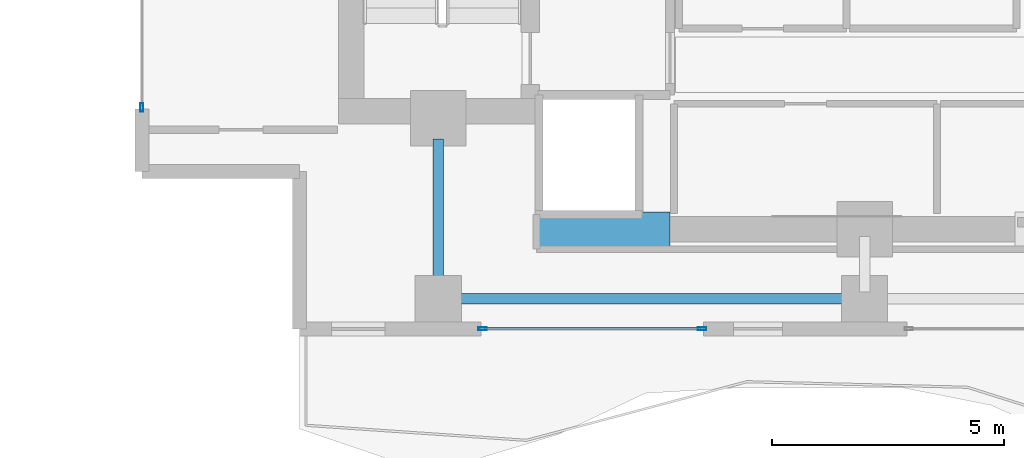
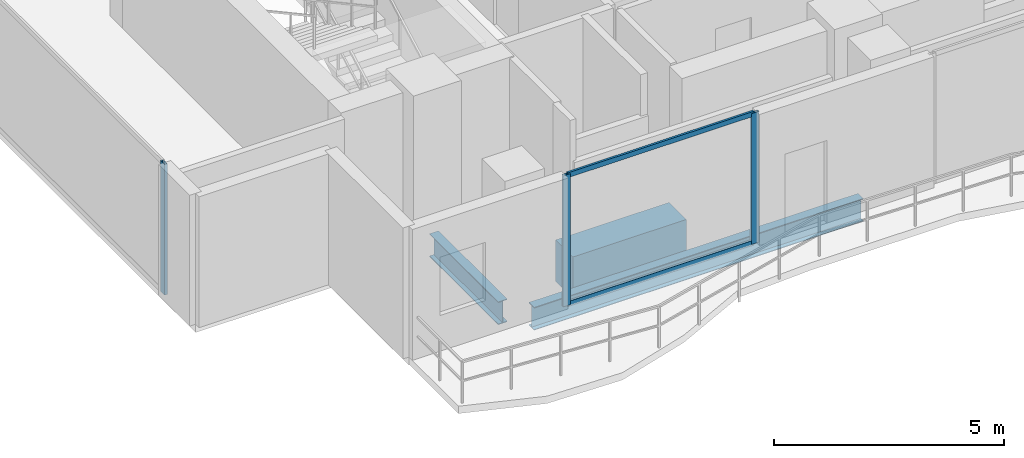
# One storey, part 2 of 23: 5 members, 3 beams, 2 elements without a shape of their own.
"""IFC4 building model written with IfcOpenShell, lengths in metres."""

import ifcopenshell
import ifcopenshell.guid

model = None  # the IFC model being written
_history = None  # IfcOwnerHistory: only IFC2X3 demands one
_inside = {}  # id of a spatial element -> (the spatial element, [elements in it])
_under = {}  # id of a project, library or spatial element -> (it, [spatial elements below it])
_declared = {}  # id of a project -> (the project, [libraries it declares])
_typed = {}  # id of a type object -> (the type object, [elements of that type])
_made_of = {}  # id of a material, layer set ... -> (it, [elements and type objects made of it])


def new_model(schema):
    """Start an empty IFC model of exactly this schema.

    Asked for "IFC4X3", IfcOpenShell would pick the latest addendum, in which some entities
    have other attributes; the version numbers below select the first issue.
    IFC2X3 requires an IfcOwnerHistory on every rooted entity: one is made here for all.
    """
    global model, _history
    if schema == "IFC4X3":
        model = ifcopenshell.file(schema_version=(4, 3, 0, 0))
    else:
        model = ifcopenshell.file(schema=schema)
    _inside.clear()
    _under.clear()
    _declared.clear()
    _typed.clear()
    _made_of.clear()
    _history = None
    if model.schema == "IFC2X3":
        org = make("IfcOrganization", Name="unknown")
        user = make(
            "IfcPersonAndOrganization",
            ThePerson=make("IfcPerson", FamilyName="unknown"),
            TheOrganization=org,
        )
        app = make(
            "IfcApplication",
            ApplicationDeveloper=org,
            Version="unknown",
            ApplicationFullName="unknown",
            ApplicationIdentifier="unknown",
        )
        _history = make(
            "IfcOwnerHistory",
            OwningUser=user,
            OwningApplication=app,
            ChangeAction="ADDED",
            CreationDate=0,
        )
    return model


def make(cls, **values):
    """One entity of the class cls with the attributes given. An attribute that is None is left unset."""
    return model.create_entity(
        cls, **{name: value for name, value in values.items() if value is not None}
    )


def rooted(cls, **values):
    """An entity with a GlobalId (a new one), such as an element, a storey or a relation."""
    return make(cls, GlobalId=ifcopenshell.guid.new(), OwnerHistory=_history, **values)


def si_unit(unit_type, name, prefix=None):
    """IfcSIUnit, for example si_unit("LENGTHUNIT", "METRE", prefix="MILLI")."""
    return make("IfcSIUnit", UnitType=unit_type, Prefix=prefix, Name=name)


def assignment(units):
    """IfcUnitAssignment: the units of a project."""
    return None if units is None else make("IfcUnitAssignment", Units=units)


def point(xyz):
    """IfcCartesianPoint."""
    return None if xyz is None else make("IfcCartesianPoint", Coordinates=xyz)


def direction(xyz):
    """IfcDirection."""
    return None if xyz is None else make("IfcDirection", DirectionRatios=xyz)


def frame(location, z_axis=None, x_axis=None):
    """IfcAxis2Placement3D, a coordinate frame: its origin and axes. An axis left out is left unset."""
    return make(
        "IfcAxis2Placement3D",
        Location=point(location),
        Axis=direction(z_axis),
        RefDirection=direction(x_axis),
    )


def frame_2d(location, x_axis=None):
    """IfcAxis2Placement2D, a coordinate frame in the plane: its origin and x axis."""
    return make(
        "IfcAxis2Placement2D", Location=point(location), RefDirection=direction(x_axis)
    )


def origin():
    """The frame at (0, 0, 0) with its axes left unset."""
    return frame((0.0, 0.0, 0.0))


def origin_2d():
    """The frame at (0, 0) in the plane with its x axis left unset."""
    return frame_2d((0.0, 0.0))


def place(relative_to, where):
    """IfcLocalPlacement: puts the frame where relative to a parent placement (None: the world)."""
    return make(
        "IfcLocalPlacement", PlacementRelTo=relative_to, RelativePlacement=where
    )


def context(
    kind, dimensions, precision=None, world=None, true_north=None, identifier=None
):
    """IfcGeometricRepresentationContext, for example the 3D "Model" context."""
    return make(
        "IfcGeometricRepresentationContext",
        ContextIdentifier=identifier,
        ContextType=kind,
        CoordinateSpaceDimension=dimensions,
        Precision=precision,
        WorldCoordinateSystem=world,
        TrueNorth=true_north,
    )


def subcontext(parent, identifier, kind, view, scale=None):
    """IfcGeometricRepresentationSubContext, for example "Body" below "Model"."""
    return make(
        "IfcGeometricRepresentationSubContext",
        ContextIdentifier=identifier,
        ContextType=kind,
        ParentContext=parent,
        TargetScale=scale,
        TargetView=view,
    )


def project(units=None, contexts=None):
    """IfcProject with its units and contexts."""
    return rooted(
        "IfcProject",
        Name="project",
        RepresentationContexts=contexts,
        UnitsInContext=assignment(units),
    )


def spatial(cls, under=None, at=None, **own):
    """A site, building, storey or space (cls), placed at a placement, below another one or the project."""
    s = rooted(cls, ObjectPlacement=at, **own)
    if under is not None:
        _under.setdefault(under.id(), (under, []))[1].append(s)
    return s


def profile(cls, at=None, kind="AREA", **sizes):
    """A parametric profile (cls). Its sizes go by their IFC names, for example OverallWidth=200.0."""
    return make(cls, ProfileType=kind, Position=at, **sizes)


def rectangle(**sizes):
    """IfcRectangleProfileDef."""
    return profile("IfcRectangleProfileDef", **sizes)


def hollow_rectangle(**sizes):
    """IfcRectangleHollowProfileDef."""
    return profile("IfcRectangleHollowProfileDef", **sizes)


def i_section(**sizes):
    """IfcIShapeProfileDef."""
    return profile("IfcIShapeProfileDef", **sizes)


def extrude(swept, where, along, depth):
    """IfcExtrudedAreaSolid: the profile swept, set in the frame where, extruded along a direction by depth."""
    return make(
        "IfcExtrudedAreaSolid",
        SweptArea=swept,
        Position=where,
        ExtrudedDirection=direction(along),
        Depth=depth,
    )


def shape(context_of_items, identifier, shape_type, items):
    """IfcShapeRepresentation: the items that make up one representation, for example the "Body"."""
    return make(
        "IfcShapeRepresentation",
        ContextOfItems=context_of_items,
        RepresentationIdentifier=identifier,
        RepresentationType=shape_type,
        Items=items,
    )


def material(Name=None, Category=None):
    """IfcMaterial."""
    return make("IfcMaterial", Name=Name, Category=Category)


def layer(
    of_material, thickness, ventilated=None, Name=None, Category=None, Priority=None
):
    """IfcMaterialLayer: one layer of a wall or slab, of a material (None: an air gap)."""
    return make(
        "IfcMaterialLayer",
        Material=of_material,
        LayerThickness=thickness,
        IsVentilated=ventilated,
        Name=Name,
        Category=Category,
        Priority=Priority,
    )


def layer_set(layers, Name=None):
    """IfcMaterialLayerSet."""
    return make("IfcMaterialLayerSet", MaterialLayers=layers, LayerSetName=Name)


def material_profile(
    of_material, cross_section, Name=None, Category=None, Priority=None
):
    """IfcMaterialProfile: a cross section and its material."""
    return make(
        "IfcMaterialProfile",
        Name=Name,
        Material=of_material,
        Profile=cross_section,
        Priority=Priority,
        Category=Category,
    )


def profile_set(profiles, Name=None, composite=None):
    """IfcMaterialProfileSet."""
    return make(
        "IfcMaterialProfileSet",
        Name=Name,
        MaterialProfiles=profiles,
        CompositeProfile=composite,
    )


def made_of(thing, what):
    """Note that an element or type object is made of a material, layer set ...; save() writes the relation."""
    if what is not None:
        _made_of.setdefault(what.id(), (what, []))[1].append(thing)
    return thing


def type_object(cls, material=None, **own):
    """A type object (cls), such as IfcWallType, which elements share."""
    return made_of(rooted(cls, **own), material)


def element(
    cls,
    number,
    at=None,
    inside=None,
    cuts=None,
    type_object=None,
    material=None,
    context=None,
    identifier="Body",
    shape_type=None,
    held_by="IfcProductDefinitionShape",
    body=None,
    shapes=None,
    **own,
):
    """One element of the class cls, such as IfcWall. Its Tag is "e" and its number.

    at: its placement. inside: the storey or other place that contains it. cuts: it is an
    opening in that element (IfcRelVoidsElement). A single representation is given by context,
    identifier, shape_type and body (its items); several are given by shapes. held_by: the class
    of the entity that holds the representations. save() writes the other relations.
    """
    e = rooted(cls, Tag="e%d" % number, ObjectPlacement=at, **own)
    if body is not None:
        shapes = [shape(context, identifier, shape_type, body)]
    if shapes is not None:
        e.Representation = make(held_by, Representations=shapes)
    if inside is not None:
        _inside.setdefault(inside.id(), (inside, []))[1].append(e)
    if cuts is not None:
        rooted(
            "IfcRelVoidsElement", RelatingBuildingElement=cuts, RelatedOpeningElement=e
        )
    if type_object is not None:
        _typed.setdefault(type_object.id(), (type_object, []))[1].append(e)
    return made_of(e, material)


def aggregate(whole, parts):
    """IfcRelAggregates: a whole, such as a stair, and the parts it consists of."""
    return rooted("IfcRelAggregates", RelatingObject=whole, RelatedObjects=parts)


def save(model, path):
    """Write the relations noted so far, then the file.

    IfcRelAggregates (storeys below a building ...), IfcRelContainedInSpatialStructure (elements
    in a storey), IfcRelDefinesByType, IfcRelAssociatesMaterial and IfcRelDeclares: one each for
    every whole, place, type object, material and project.
    """
    for whole, parts in _under.values():
        aggregate(whole, parts)
    for where, things in _inside.values():
        rooted(
            "IfcRelContainedInSpatialStructure",
            RelatedElements=things,
            RelatingStructure=where,
        )
    for kind, things in _typed.values():
        rooted("IfcRelDefinesByType", RelatedObjects=things, RelatingType=kind)
    for what, things in _made_of.values():
        rooted("IfcRelAssociatesMaterial", RelatedObjects=things, RelatingMaterial=what)
    for by, libraries in _declared.values():
        rooted("IfcRelDeclares", RelatingContext=by, RelatedDefinitions=libraries)
    model.write(path)


model = new_model("IFC4")

# Units and contexts
model_context = context("Model", 3, precision=1e-05, world=origin(), true_north=direction((0.0, 1.0)))
body_context = subcontext(model_context, "Body", "Model", "MODEL_VIEW")
ifc_project = project(units=[si_unit("LENGTHUNIT", "METRE"), si_unit("AREAUNIT", "SQUARE_METRE"), si_unit("VOLUMEUNIT", "CUBIC_METRE"), si_unit("PLANEANGLEUNIT", "RADIAN"), si_unit("MASSUNIT", "GRAM", prefix="KILO")], contexts=[model_context])

# Site, building, storey
site_placement = place(None, origin())
site = spatial("IfcSite", under=ifc_project, at=site_placement, CompositionType="ELEMENT")
building_placement = place(site_placement, origin())
building = spatial("IfcBuilding", under=site, at=building_placement, Name="Zuhayl Quay Hotel", CompositionType="ELEMENT")
storey_placement = place(building_placement, frame((0.0, 0.0, 265.550048828125)))
storey = spatial("IfcBuildingStorey", under=building, at=storey_placement, Name="L67", CompositionType="ELEMENT", Elevation=265.550048828125)

# Beams
ifc_material_1 = material(Name="Steel ASTM A992 Grade 50", Category="steel")
ifc_material_profile_1 = material_profile(ifc_material_1, i_section(OverallWidth=0.22802734375, OverallDepth=0.60693359375, WebThickness=0.01123046875, FlangeThickness=0.017333984375, at=origin_2d()), Name="W24X76")
ifc_profile_set_1 = profile_set([ifc_material_profile_1], Name="Steel ASTM A992 Grade 50")
beam_type_1 = type_object("IfcBeamType", Name="BM_B3_W24X76", PredefinedType="BEAM", material=ifc_profile_set_1)
beam_1_placement = place(storey_placement, frame((-13.340087890625, 0.64990234375, -0.5234375), z_axis=(1.0, 0.0, 0.0), x_axis=(0.0, 1.0, 0.0)))
element("IfcBeam", 1, at=beam_1_placement, inside=storey, type_object=beam_type_1, Name="L67 Floor Beam RG_L67_01", PredefinedType="BEAM", context=body_context, shape_type="SweptSolid", body=[
    extrude(i_section(OverallWidth=0.22802734375, OverallDepth=0.60693359375, WebThickness=0.01123046875, FlangeThickness=0.017333984375, at=origin_2d()), origin(), (0.0, 0.0, 1.0), 8.280029296875),
])
beam_2_placement = place(storey_placement, frame((-13.800048828125, 1.110107421875, -0.5234375), z_axis=(0.0, 1.0, 0.0), x_axis=(-1.0, 0.0, 0.0)))
element("IfcBeam", 2, at=beam_2_placement, inside=storey, type_object=beam_type_1, Name="L67 Floor Beam FG_S_L67_1", PredefinedType="BEAM", context=body_context, shape_type="SweptSolid", body=[
    extrude(i_section(OverallWidth=0.22802734375, OverallDepth=0.60693359375, WebThickness=0.01123046875, FlangeThickness=0.017333984375, at=origin_2d()), origin(), (0.0, 0.0, 1.0), 2.989990234375),
])
ifc_material_2 = material(Name="Concrete C60/75", Category="concrete")
ifc_material_profile_2 = material_profile(ifc_material_2, rectangle(XDim=0.75, YDim=1.10009765625, at=origin_2d()), Name="RC750X1100")
ifc_profile_set_2 = profile_set([ifc_material_profile_2], Name="Concrete C60/75")
beam_type_2 = type_object("IfcBeamType", Name="BM_CB2_RC750", PredefinedType="T_BEAM", material=ifc_profile_set_2)
beam_3_placement = place(storey_placement, frame((-11.64990234375, 2.14990234375, -0.77001953125), z_axis=(1.0, 0.0, 0.0), x_axis=(0.0, 1.0, 0.0)))
element("IfcBeam", 3, at=beam_3_placement, inside=storey, type_object=beam_type_2, Name="L67 Core Coupling Beam SW", PredefinedType="T_BEAM", context=body_context, shape_type="SweptSolid", body=[
    extrude(rectangle(XDim=0.75, YDim=1.10009765625, at=origin_2d()), origin(), (0.0, 0.0, 1.0), 2.849853515625),
])

# Curtain wall, member
ifc_material_3 = material(Name="Anodised Aluminium 6063-T6", Category="aluminium")
ifc_layer = layer(ifc_material_3, 0.169921875, Name="Anodised Aluminium 6063-T6", Category="aluminium")
ifc_layer_set = layer_set([ifc_layer], Name="Anodised Aluminium 6063-T6")
curtain_wall_type = type_object("IfcCurtainWallType", Name="CW_SYS_Z4", PredefinedType="USERDEFINED", material=ifc_layer_set)
curtain_wall_1_placement = place(storey_placement, origin())
curtain_wall_1 = element("IfcCurtainWall", 4, at=curtain_wall_1_placement, inside=storey, type_object=curtain_wall_type, Name="L67 Curtain Wall ENV_L67_E02_CW1", ObjectType="UNITISED CURTAIN WALL", PredefinedType="USERDEFINED")
ifc_material_4 = material(Name="Black-anodised aluminium 6063-T6", Category="aluminium")
ifc_material_profile_3 = material_profile(ifc_material_4, hollow_rectangle(XDim=0.06494140625, YDim=0.179931640625, WallThickness=0.00341796875, at=origin_2d()), Name="ALU180X65")
ifc_profile_set_3 = profile_set([ifc_material_profile_3], Name="Black-anodised aluminium 6063-T6")
member_type_1 = type_object("IfcMemberType", Name="MB_CW_MUL_180", PredefinedType="MULLION", material=ifc_profile_set_3)
member_1_placement = place(storey_placement, frame((-20.199951171875, 4.782470703125, 0.0), z_axis=(0.0, 0.0, 1.0), x_axis=(-1.0, 0.0, 0.0)))
member_1 = element("IfcMember", 5, at=member_1_placement, type_object=member_type_1, Name="CW-Z4 mullion 1", PredefinedType="MULLION", context=body_context, shape_type="SweptSolid", body=[
    extrude(hollow_rectangle(XDim=0.06494140625, YDim=0.179931640625, WallThickness=0.00341796875, at=origin_2d()), origin(), (0.0, 0.0, 1.0), 3.47998046875),
])
aggregate(curtain_wall_1, [member_1])

# Curtain wall, members
curtain_wall_2_placement = place(storey_placement, origin())
curtain_wall_2 = element("IfcCurtainWall", 6, at=curtain_wall_2_placement, inside=storey, type_object=curtain_wall_type, Name="L67 Curtain Wall ENV_L67_S_CW4", ObjectType="UNITISED CURTAIN WALL", PredefinedType="USERDEFINED")
member_2_placement = place(storey_placement, frame((-8.107421875, 0.0, 0.0), z_axis=(0.0, 0.0, 1.0), x_axis=(0.0, -1.0, 0.0)))
member_2 = element("IfcMember", 7, at=member_2_placement, type_object=member_type_1, Name="CW-Z4 mullion 1", PredefinedType="MULLION", context=body_context, shape_type="SweptSolid", body=[
    extrude(hollow_rectangle(XDim=0.06494140625, YDim=0.179931640625, WallThickness=0.00341796875, at=origin_2d()), origin(), (0.0, 0.0, 1.0), 3.47998046875),
])
member_3_placement = place(storey_placement, frame((-12.847412109375, 0.0, 0.0), z_axis=(0.0, 0.0, 1.0), x_axis=(0.0, -1.0, 0.0)))
member_3 = element("IfcMember", 8, at=member_3_placement, type_object=member_type_1, Name="CW-Z4 mullion 2", PredefinedType="MULLION", context=body_context, shape_type="SweptSolid", body=[
    extrude(hollow_rectangle(XDim=0.06494140625, YDim=0.179931640625, WallThickness=0.00341796875, at=origin_2d()), origin(), (0.0, 0.0, 1.0), 3.47998046875),
])
ifc_material_profile_4 = material_profile(ifc_material_4, hollow_rectangle(XDim=0.054931640625, YDim=0.1298828125, WallThickness=0.0029296875, at=origin_2d()), Name="ALU130X55")
ifc_profile_set_4 = profile_set([ifc_material_profile_4], Name="Black-anodised aluminium 6063-T6")
member_type_2 = type_object("IfcMemberType", Name="MB_CW_TRN_130", PredefinedType="USERDEFINED", material=ifc_profile_set_4)
member_4_placement = place(storey_placement, frame((-8.139892578125, 0.0, 0.02734375), z_axis=(-1.0, 0.0, 0.0), x_axis=(0.0, -1.0, 0.0)))
member_4 = element("IfcMember", 9, at=member_4_placement, type_object=member_type_2, Name="CW-Z4 transom 1.1", ObjectType="TRANSOM", PredefinedType="USERDEFINED", context=body_context, shape_type="SweptSolid", body=[
    extrude(hollow_rectangle(XDim=0.054931640625, YDim=0.1298828125, WallThickness=0.0029296875, at=origin_2d()), origin(), (0.0, 0.0, 1.0), 4.675048828125),
])
member_5_placement = place(storey_placement, frame((-8.139892578125, 0.0, 3.452392578125), z_axis=(-1.0, 0.0, 0.0), x_axis=(0.0, -1.0, 0.0)))
member_5 = element("IfcMember", 10, at=member_5_placement, type_object=member_type_2, Name="CW-Z4 transom 1.2", ObjectType="TRANSOM", PredefinedType="USERDEFINED", context=body_context, shape_type="SweptSolid", body=[
    extrude(hollow_rectangle(XDim=0.054931640625, YDim=0.1298828125, WallThickness=0.0029296875, at=origin_2d()), origin(), (0.0, 0.0, 1.0), 4.675048828125),
])
aggregate(curtain_wall_2, [member_2, member_3, member_4, member_5])

save(model, "model.ifc")
